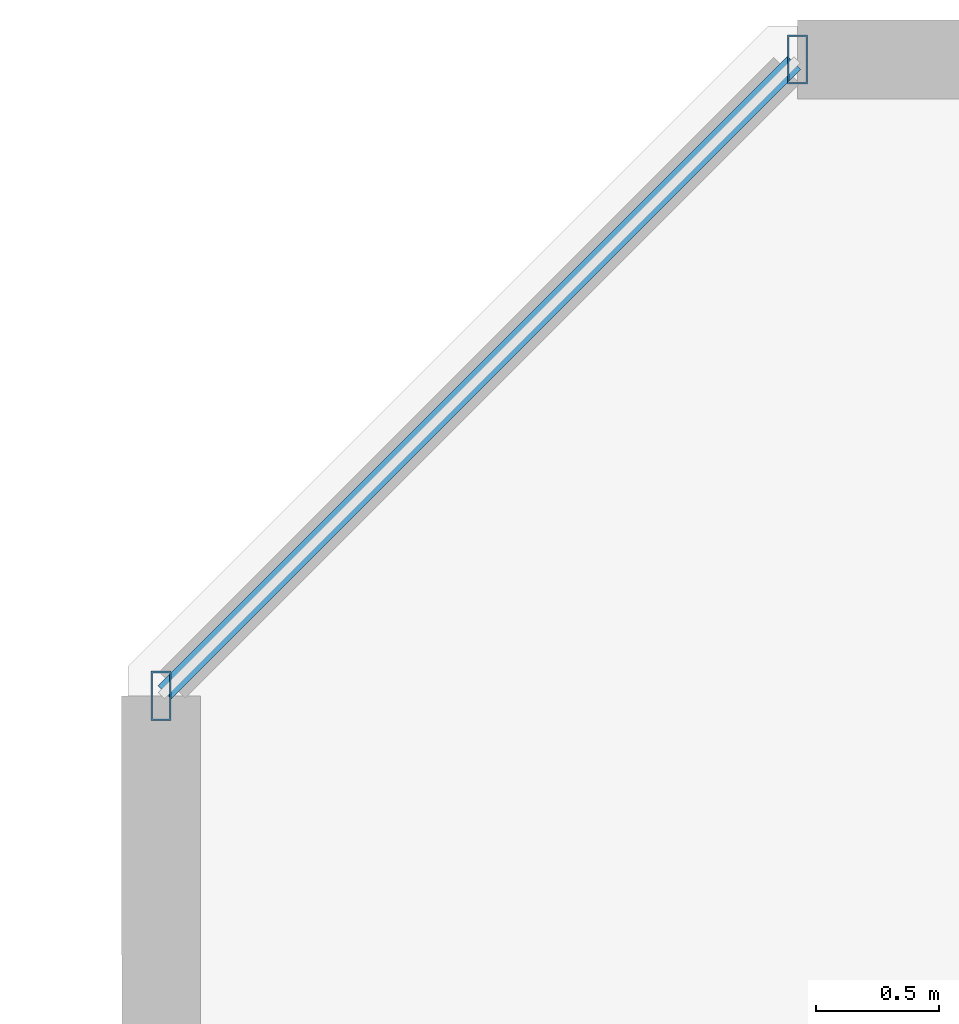
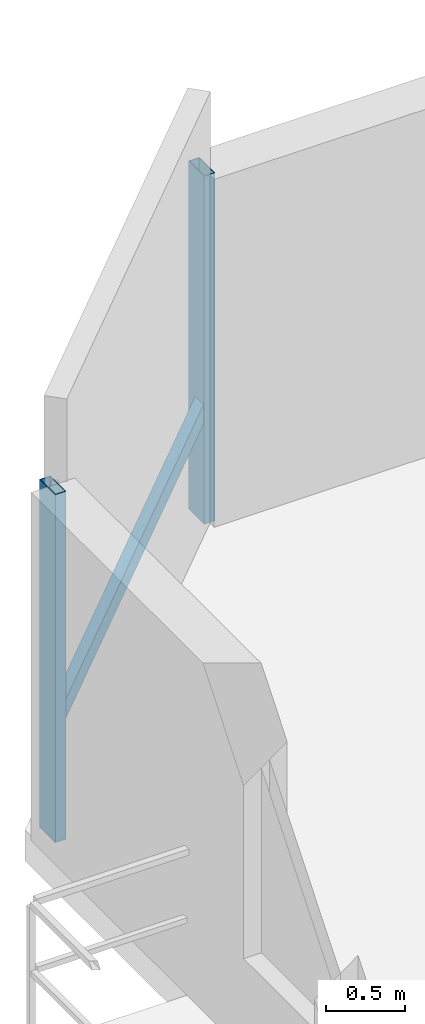
# One storey, part 7 of 31: 3 members, 1 element without a shape of its own.
"""IFC4 building model written with IfcOpenShell, lengths in metres."""

from ifc_helpers import new_model, si_unit, direction, frame, origin, origin_2d, place, context, subcontext, project, spatial, hollow_rectangle, extrude, material, material_profile, profile_set, type_object, element, aggregate, save


model = new_model("IFC4")

# Units and contexts
model_context = context("Model", 3, precision=1e-05, world=origin(), true_north=direction((0.0, 1.0)))
body_context = subcontext(model_context, "Body", "Model", "MODEL_VIEW")
ifc_project = project(units=[si_unit("LENGTHUNIT", "METRE"), si_unit("AREAUNIT", "SQUARE_METRE"), si_unit("VOLUMEUNIT", "CUBIC_METRE"), si_unit("PLANEANGLEUNIT", "RADIAN"), si_unit("MASSUNIT", "GRAM", prefix="KILO")], contexts=[model_context])

# Site, building, storey
site_placement = place(None, origin())
site = spatial("IfcSite", under=ifc_project, at=site_placement, CompositionType="ELEMENT")
building_placement = place(site_placement, origin())
building = spatial("IfcBuilding", under=site, at=building_placement, Name="Thornwick Lancets Civic Towers", CompositionType="ELEMENT")
storey_placement = place(building_placement, frame((0.0, 0.0, 126.89990234375)))
storey = spatial("IfcBuildingStorey", under=building, at=storey_placement, Name="L33", CompositionType="ELEMENT", Elevation=126.89990234375)

# Curtain wall, members
ifc_material_1 = material(Name="Mid-zone chamfered-corner unitised glass curtain wall", Category="glass")
curtain_wall_type = type_object("IfcCurtainWallType", Name="CW_SYS_04", PredefinedType="NOTDEFINED", material=ifc_material_1)
curtain_wall_placement = place(storey_placement, origin())
curtain_wall = element("IfcCurtainWall", 1, at=curtain_wall_placement, inside=storey, type_object=curtain_wall_type, Name="L33 Curtain Wall CW-L33-A-E5", PredefinedType="NOTDEFINED")
ifc_material_2 = material(Name="Thermally broken bronze aluminium S355", Category="steel")
ifc_material_profile_1 = material_profile(ifc_material_2, hollow_rectangle(XDim=0.080078125, YDim=0.199951171875, WallThickness=0.006103515625, at=origin_2d()), Name="RHS 200x80x6")
ifc_profile_set_1 = profile_set([ifc_material_profile_1], Name="Thermally broken bronze aluminium S355")
member_type_1 = type_object("IfcMemberType", Name="CW_MUL_200", PredefinedType="MULLION", material=ifc_profile_set_1)
member_1_placement = place(storey_placement, frame((4.318603515625, 44.7646484375, 0.0), z_axis=(0.0, 0.0, 1.0), x_axis=(1.0, 0.0, 0.0)))
member_1 = element("IfcMember", 2, at=member_1_placement, type_object=member_type_1, Name="CW-L33-A-E5 Mullion 0", PredefinedType="MULLION", context=body_context, shape_type="SweptSolid", body=[
    extrude(hollow_rectangle(XDim=0.080078125, YDim=0.199951171875, WallThickness=0.006103515625, at=origin_2d()), origin(), (0.0, 0.0, 1.0), 2.7001953125),
])
member_2_placement = place(storey_placement, frame((1.7353515625, 42.181396484375, 0.0), z_axis=(0.0, 0.0, 1.0), x_axis=(1.0, 0.0, 0.0)))
member_2 = element("IfcMember", 3, at=member_2_placement, type_object=member_type_1, Name="CW-L33-A-E5 Mullion 1", PredefinedType="MULLION", context=body_context, shape_type="SweptSolid", body=[
    extrude(hollow_rectangle(XDim=0.080078125, YDim=0.199951171875, WallThickness=0.006103515625, at=origin_2d()), origin(), (0.0, 0.0, 1.0), 2.7001953125),
])
ifc_material_profile_2 = material_profile(ifc_material_2, hollow_rectangle(XDim=0.074951171875, YDim=0.14990234375, WallThickness=0.0048828125, at=origin_2d()), Name="RHS 150x75x5")
ifc_profile_set_2 = profile_set([ifc_material_profile_2], Name="Thermally broken bronze aluminium S355")
member_type_2 = type_object("IfcMemberType", Name="CW_TRN_150", PredefinedType="USERDEFINED", material=ifc_profile_set_2)
member_3_placement = place(storey_placement, frame((4.304443359375, 44.75048828125, 0.85009765625), z_axis=(-0.707106781187, -0.707106781187, 0.0), x_axis=(0.707106781187, -0.707106781187, 0.0)))
member_3 = element("IfcMember", 4, at=member_3_placement, type_object=member_type_2, Name="CW-L33-A-E5 Transom 0", ObjectType="TRANSOM", PredefinedType="USERDEFINED", context=body_context, shape_type="SweptSolid", body=[
    extrude(hollow_rectangle(XDim=0.074951171875, YDim=0.14990234375, WallThickness=0.0048828125, at=origin_2d()), origin(), (0.0, 0.0, 1.0), 3.61328125),
])
aggregate(curtain_wall, [member_1, member_2, member_3])

save(model, "model.ifc")
